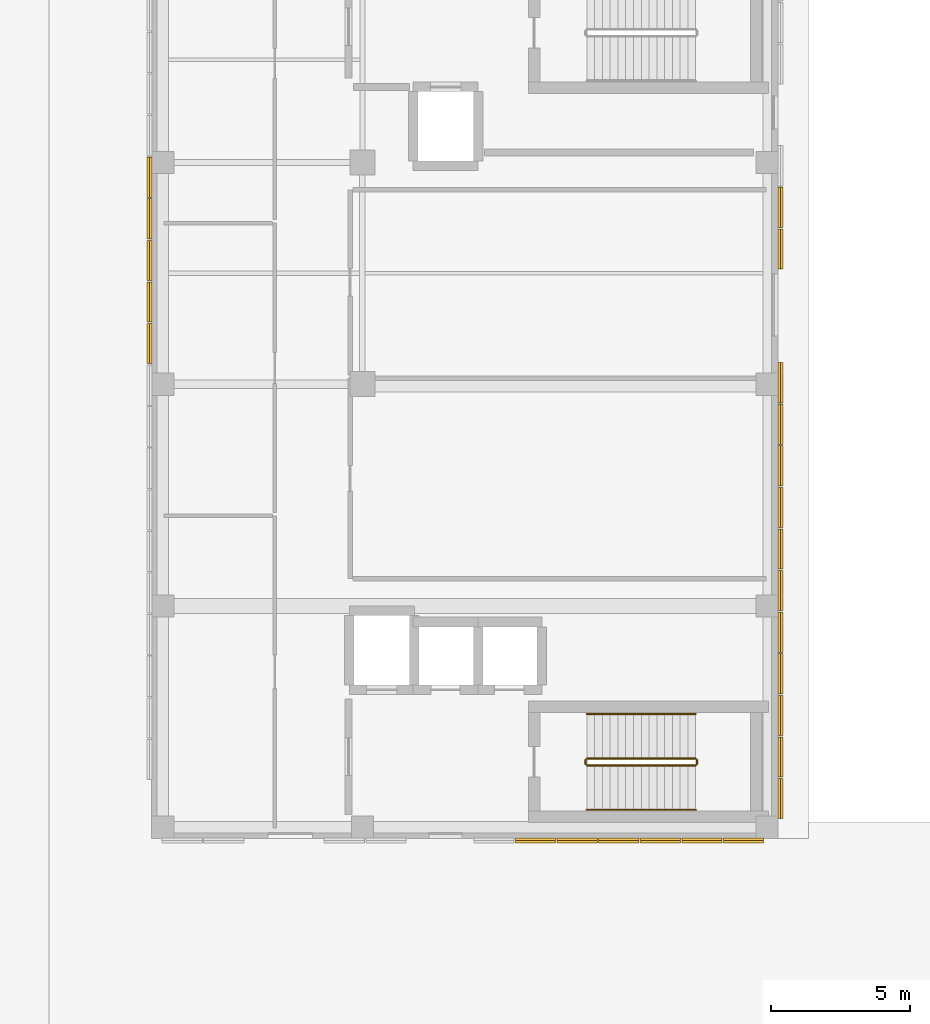
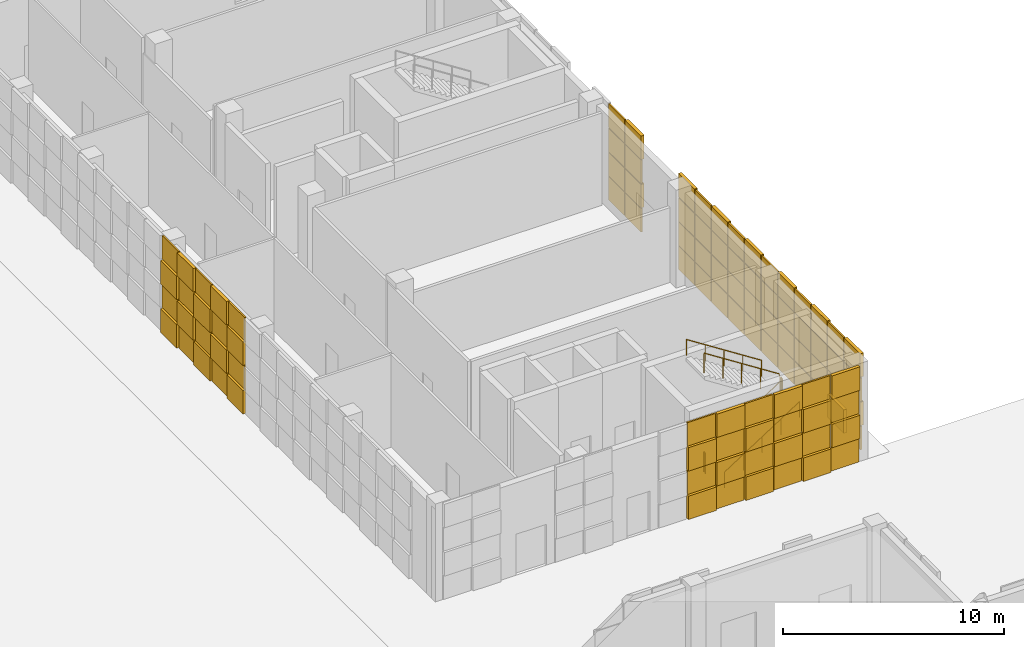
# One storey, part 31 of 40: 96 coverings, 6 railings.
"""IFC4 building model written with IfcOpenShell, lengths in metres."""

import ifcopenshell
import ifcopenshell.guid

model = None  # the IFC model being written
_history = None  # IfcOwnerHistory: only IFC2X3 demands one
_inside = {}  # id of a spatial element -> (the spatial element, [elements in it])
_under = {}  # id of a project, library or spatial element -> (it, [spatial elements below it])
_declared = {}  # id of a project -> (the project, [libraries it declares])
_typed = {}  # id of a type object -> (the type object, [elements of that type])
_made_of = {}  # id of a material, layer set ... -> (it, [elements and type objects made of it])


def new_model(schema):
    """Start an empty IFC model of exactly this schema.

    Asked for "IFC4X3", IfcOpenShell would pick the latest addendum, in which some entities
    have other attributes; the version numbers below select the first issue.
    IFC2X3 requires an IfcOwnerHistory on every rooted entity: one is made here for all.
    """
    global model, _history
    if schema == "IFC4X3":
        model = ifcopenshell.file(schema_version=(4, 3, 0, 0))
    else:
        model = ifcopenshell.file(schema=schema)
    _inside.clear()
    _under.clear()
    _declared.clear()
    _typed.clear()
    _made_of.clear()
    _history = None
    if model.schema == "IFC2X3":
        org = make("IfcOrganization", Name="unknown")
        user = make(
            "IfcPersonAndOrganization",
            ThePerson=make("IfcPerson", FamilyName="unknown"),
            TheOrganization=org,
        )
        app = make(
            "IfcApplication",
            ApplicationDeveloper=org,
            Version="unknown",
            ApplicationFullName="unknown",
            ApplicationIdentifier="unknown",
        )
        _history = make(
            "IfcOwnerHistory",
            OwningUser=user,
            OwningApplication=app,
            ChangeAction="ADDED",
            CreationDate=0,
        )
    return model


def make(cls, **values):
    """One entity of the class cls with the attributes given. An attribute that is None is left unset."""
    return model.create_entity(
        cls, **{name: value for name, value in values.items() if value is not None}
    )


def rooted(cls, **values):
    """An entity with a GlobalId (a new one), such as an element, a storey or a relation."""
    return make(cls, GlobalId=ifcopenshell.guid.new(), OwnerHistory=_history, **values)


def si_unit(unit_type, name, prefix=None):
    """IfcSIUnit, for example si_unit("LENGTHUNIT", "METRE", prefix="MILLI")."""
    return make("IfcSIUnit", UnitType=unit_type, Prefix=prefix, Name=name)


def assignment(units):
    """IfcUnitAssignment: the units of a project."""
    return None if units is None else make("IfcUnitAssignment", Units=units)


def point(xyz):
    """IfcCartesianPoint."""
    return None if xyz is None else make("IfcCartesianPoint", Coordinates=xyz)


def direction(xyz):
    """IfcDirection."""
    return None if xyz is None else make("IfcDirection", DirectionRatios=xyz)


def frame(location, z_axis=None, x_axis=None):
    """IfcAxis2Placement3D, a coordinate frame: its origin and axes. An axis left out is left unset."""
    return make(
        "IfcAxis2Placement3D",
        Location=point(location),
        Axis=direction(z_axis),
        RefDirection=direction(x_axis),
    )


def frame_2d(location, x_axis=None):
    """IfcAxis2Placement2D, a coordinate frame in the plane: its origin and x axis."""
    return make(
        "IfcAxis2Placement2D", Location=point(location), RefDirection=direction(x_axis)
    )


def origin():
    """The frame at (0, 0, 0) with its axes left unset."""
    return frame((0.0, 0.0, 0.0))


def origin_2d():
    """The frame at (0, 0) in the plane with its x axis left unset."""
    return frame_2d((0.0, 0.0))


def place(relative_to, where):
    """IfcLocalPlacement: puts the frame where relative to a parent placement (None: the world)."""
    return make(
        "IfcLocalPlacement", PlacementRelTo=relative_to, RelativePlacement=where
    )


def context(
    kind, dimensions, precision=None, world=None, true_north=None, identifier=None
):
    """IfcGeometricRepresentationContext, for example the 3D "Model" context."""
    return make(
        "IfcGeometricRepresentationContext",
        ContextIdentifier=identifier,
        ContextType=kind,
        CoordinateSpaceDimension=dimensions,
        Precision=precision,
        WorldCoordinateSystem=world,
        TrueNorth=true_north,
    )


def subcontext(parent, identifier, kind, view, scale=None):
    """IfcGeometricRepresentationSubContext, for example "Body" below "Model"."""
    return make(
        "IfcGeometricRepresentationSubContext",
        ContextIdentifier=identifier,
        ContextType=kind,
        ParentContext=parent,
        TargetScale=scale,
        TargetView=view,
    )


def project(units=None, contexts=None):
    """IfcProject with its units and contexts."""
    return rooted(
        "IfcProject",
        Name="project",
        RepresentationContexts=contexts,
        UnitsInContext=assignment(units),
    )


def spatial(cls, under=None, at=None, **own):
    """A site, building, storey or space (cls), placed at a placement, below another one or the project."""
    s = rooted(cls, ObjectPlacement=at, **own)
    if under is not None:
        _under.setdefault(under.id(), (under, []))[1].append(s)
    return s


def profile(cls, at=None, kind="AREA", **sizes):
    """A parametric profile (cls). Its sizes go by their IFC names, for example OverallWidth=200.0."""
    return make(cls, ProfileType=kind, Position=at, **sizes)


def rectangle(**sizes):
    """IfcRectangleProfileDef."""
    return profile("IfcRectangleProfileDef", **sizes)


def circle(**sizes):
    """IfcCircleProfileDef."""
    return profile("IfcCircleProfileDef", **sizes)


def extrude(swept, where, along, depth):
    """IfcExtrudedAreaSolid: the profile swept, set in the frame where, extruded along a direction by depth."""
    return make(
        "IfcExtrudedAreaSolid",
        SweptArea=swept,
        Position=where,
        ExtrudedDirection=direction(along),
        Depth=depth,
    )


def shape(context_of_items, identifier, shape_type, items):
    """IfcShapeRepresentation: the items that make up one representation, for example the "Body"."""
    return make(
        "IfcShapeRepresentation",
        ContextOfItems=context_of_items,
        RepresentationIdentifier=identifier,
        RepresentationType=shape_type,
        Items=items,
    )


def material(Name=None, Category=None):
    """IfcMaterial."""
    return make("IfcMaterial", Name=Name, Category=Category)


def layer(
    of_material, thickness, ventilated=None, Name=None, Category=None, Priority=None
):
    """IfcMaterialLayer: one layer of a wall or slab, of a material (None: an air gap)."""
    return make(
        "IfcMaterialLayer",
        Material=of_material,
        LayerThickness=thickness,
        IsVentilated=ventilated,
        Name=Name,
        Category=Category,
        Priority=Priority,
    )


def layer_set(layers, Name=None):
    """IfcMaterialLayerSet."""
    return make("IfcMaterialLayerSet", MaterialLayers=layers, LayerSetName=Name)


def made_of(thing, what):
    """Note that an element or type object is made of a material, layer set ...; save() writes the relation."""
    if what is not None:
        _made_of.setdefault(what.id(), (what, []))[1].append(thing)
    return thing


def type_object(cls, material=None, **own):
    """A type object (cls), such as IfcWallType, which elements share."""
    return made_of(rooted(cls, **own), material)


def element(
    cls,
    number,
    at=None,
    inside=None,
    cuts=None,
    type_object=None,
    material=None,
    context=None,
    identifier="Body",
    shape_type=None,
    held_by="IfcProductDefinitionShape",
    body=None,
    shapes=None,
    **own,
):
    """One element of the class cls, such as IfcWall. Its Tag is "e" and its number.

    at: its placement. inside: the storey or other place that contains it. cuts: it is an
    opening in that element (IfcRelVoidsElement). A single representation is given by context,
    identifier, shape_type and body (its items); several are given by shapes. held_by: the class
    of the entity that holds the representations. save() writes the other relations.
    """
    e = rooted(cls, Tag="e%d" % number, ObjectPlacement=at, **own)
    if body is not None:
        shapes = [shape(context, identifier, shape_type, body)]
    if shapes is not None:
        e.Representation = make(held_by, Representations=shapes)
    if inside is not None:
        _inside.setdefault(inside.id(), (inside, []))[1].append(e)
    if cuts is not None:
        rooted(
            "IfcRelVoidsElement", RelatingBuildingElement=cuts, RelatedOpeningElement=e
        )
    if type_object is not None:
        _typed.setdefault(type_object.id(), (type_object, []))[1].append(e)
    return made_of(e, material)


def aggregate(whole, parts):
    """IfcRelAggregates: a whole, such as a stair, and the parts it consists of."""
    return rooted("IfcRelAggregates", RelatingObject=whole, RelatedObjects=parts)


def save(model, path):
    """Write the relations noted so far, then the file.

    IfcRelAggregates (storeys below a building ...), IfcRelContainedInSpatialStructure (elements
    in a storey), IfcRelDefinesByType, IfcRelAssociatesMaterial and IfcRelDeclares: one each for
    every whole, place, type object, material and project.
    """
    for whole, parts in _under.values():
        aggregate(whole, parts)
    for where, things in _inside.values():
        rooted(
            "IfcRelContainedInSpatialStructure",
            RelatedElements=things,
            RelatingStructure=where,
        )
    for kind, things in _typed.values():
        rooted("IfcRelDefinesByType", RelatedObjects=things, RelatingType=kind)
    for what, things in _made_of.values():
        rooted("IfcRelAssociatesMaterial", RelatedObjects=things, RelatingMaterial=what)
    for by, libraries in _declared.values():
        rooted("IfcRelDeclares", RelatingContext=by, RelatedDefinitions=libraries)
    model.write(path)


model = new_model("IFC4")

# Units and contexts
model_context = context("Model", 3, precision=1e-05, world=origin(), true_north=direction((0.0, 1.0)))
body_context = subcontext(model_context, "Body", "Model", "MODEL_VIEW")
ifc_project = project(units=[si_unit("LENGTHUNIT", "METRE"), si_unit("AREAUNIT", "SQUARE_METRE"), si_unit("VOLUMEUNIT", "CUBIC_METRE"), si_unit("PLANEANGLEUNIT", "RADIAN"), si_unit("MASSUNIT", "GRAM", prefix="KILO")], contexts=[model_context])

# Site, building, storey
site_placement = place(None, origin())
site = spatial("IfcSite", under=ifc_project, at=site_placement, CompositionType="ELEMENT")
building_placement = place(site_placement, origin())
building = spatial("IfcBuilding", under=site, at=building_placement, Name="Qalavern Law Courts", CompositionType="ELEMENT")
storey_placement = place(building_placement, origin())
storey = spatial("IfcBuildingStorey", under=building, at=storey_placement, Name="L00", CompositionType="ELEMENT", Elevation=0.0)

# Coverings
ifc_material_1 = material(Name="Precast concrete C40/50", Category="concrete")
ifc_layer_1 = layer(ifc_material_1, 0.06005859375)
ifc_layer_set_1 = layer_set([ifc_layer_1], Name="Precast concrete C40/50")
covering_type_1 = type_object("IfcCoveringType", Name="ENV-CLD-1", PredefinedType="CLADDING", material=ifc_layer_set_1)
covering_1_placement = place(storey_placement, frame((98.050048828125, 40.93994140625, 0.050048828125), z_axis=(0.0, 0.0, 1.0), x_axis=(1.0, 0.0, 0.0)))
element("IfcCovering", 1, at=covering_1_placement, inside=storey, type_object=covering_type_1, Name="Cast drop-relief street-base tile 0793", PredefinedType="CLADDING", context=body_context, shape_type="SweptSolid", body=[
    extrude(rectangle(XDim=1.449951171875, YDim=0.16796875, at=origin_2d()), origin(), (0.0, 0.0, 1.0), 1.294921875),
])
for number, where, z_axis, x_axis, name in (
    (2, (98.050048828125, 40.98193359375, 4.054931640625), (0.0, 0.0, 1.0), (1.0, 0.0, 0.0), "Cast drop-relief street-base tile 0796"),
    (3, (99.550048828125, 40.98193359375, 2.719970703125), (0.0, 0.0, 1.0), (1.0, 0.0, 0.0), "Cast drop-relief street-base tile 0799"),
    (4, (101.050048828125, 40.98193359375, 1.385009765625), (0.0, 0.0, 1.0), (1.0, 0.0, 0.0), "Cast drop-relief street-base tile 0802"),
    (5, (102.550048828125, 40.98193359375, 0.050048828125), (0.0, 0.0, 1.0), (1.0, 0.0, 0.0), "Cast drop-relief street-base tile 0805"),
):
    element("IfcCovering", number, at=place(storey_placement, frame(where, z_axis=z_axis, x_axis=x_axis)), inside=storey, type_object=covering_type_1, Name=name, PredefinedType="CLADDING", context=body_context, shape_type="SweptSolid", body=[
        extrude(rectangle(XDim=1.449951171875, YDim=0.083984375, at=origin_2d()), origin(), (0.0, 0.0, 1.0), 1.294921875),
    ])
for number, where, z_axis, x_axis, name in (
    (6, (102.550048828125, 40.93994140625, 4.054931640625), (0.0, 0.0, 1.0), (1.0, 0.0, 0.0), "Cast drop-relief street-base tile 0808"),
    (7, (104.050048828125, 40.93994140625, 2.719970703125), (0.0, 0.0, 1.0), (1.0, 0.0, 0.0), "Cast drop-relief street-base tile 0811"),
    (8, (105.550048828125, 40.93994140625, 1.385009765625), (0.0, 0.0, 1.0), (1.0, 0.0, 0.0), "Cast drop-relief street-base tile 0814"),
    (9, (106.8798828125, 42.455078125, 1.385009765625), (0.0, 0.0, 1.0), (0.0, 1.0, 0.0), "Cast drop-relief street-base tile 0818"),
    (10, (106.8798828125, 43.955078125, 0.050048828125), (0.0, 0.0, 1.0), (0.0, 1.0, 0.0), "Cast drop-relief street-base tile 0821"),
):
    element("IfcCovering", number, at=place(storey_placement, frame(where, z_axis=z_axis, x_axis=x_axis)), inside=storey, type_object=covering_type_1, Name=name, PredefinedType="CLADDING", context=body_context, shape_type="SweptSolid", body=[
        extrude(rectangle(XDim=1.449951171875, YDim=0.16796875, at=origin_2d()), origin(), (0.0, 0.0, 1.0), 1.294921875),
    ])
for number, where, z_axis, x_axis, name in (
    (11, (106.837890625, 43.955078125, 4.054931640625), (0.0, 0.0, 1.0), (0.0, 1.0, 0.0), "Cast drop-relief street-base tile 0824"),
    (12, (106.837890625, 45.455078125, 2.719970703125), (0.0, 0.0, 1.0), (0.0, 1.0, 0.0), "Cast drop-relief street-base tile 0827"),
    (13, (106.837890625, 46.955078125, 1.385009765625), (0.0, 0.0, 1.0), (0.0, 1.0, 0.0), "Cast drop-relief street-base tile 0830"),
    (14, (106.837890625, 48.455078125, 0.050048828125), (0.0, 0.0, 1.0), (0.0, 1.0, 0.0), "Cast drop-relief street-base tile 0833"),
):
    element("IfcCovering", number, at=place(storey_placement, frame(where, z_axis=z_axis, x_axis=x_axis)), inside=storey, type_object=covering_type_1, Name=name, PredefinedType="CLADDING", context=body_context, shape_type="SweptSolid", body=[
        extrude(rectangle(XDim=1.449951171875, YDim=0.083984375, at=origin_2d()), origin(), (0.0, 0.0, 1.0), 1.294921875),
    ])
for number, where, z_axis, x_axis, name in (
    (15, (106.8798828125, 48.455078125, 4.054931640625), (0.0, 0.0, 1.0), (0.0, 1.0, 0.0), "Cast drop-relief street-base tile 0836"),
    (16, (106.8798828125, 49.955078125, 2.719970703125), (0.0, 0.0, 1.0), (0.0, 1.0, 0.0), "Cast drop-relief street-base tile 0839"),
    (17, (106.8798828125, 51.455078125, 1.385009765625), (0.0, 0.0, 1.0), (0.0, 1.0, 0.0), "Cast drop-relief street-base tile 0842"),
    (18, (106.8798828125, 52.955078125, 0.050048828125), (0.0, 0.0, 1.0), (0.0, 1.0, 0.0), "Cast drop-relief street-base tile 0845"),
):
    element("IfcCovering", number, at=place(storey_placement, frame(where, z_axis=z_axis, x_axis=x_axis)), inside=storey, type_object=covering_type_1, Name=name, PredefinedType="CLADDING", context=body_context, shape_type="SweptSolid", body=[
        extrude(rectangle(XDim=1.449951171875, YDim=0.16796875, at=origin_2d()), origin(), (0.0, 0.0, 1.0), 1.294921875),
    ])
for number, where, z_axis, x_axis, name in (
    (19, (106.837890625, 52.955078125, 4.054931640625), (0.0, 0.0, 1.0), (0.0, 1.0, 0.0), "Cast drop-relief street-base tile 0848"),
    (20, (106.837890625, 54.455078125, 2.719970703125), (0.0, 0.0, 1.0), (0.0, 1.0, 0.0), "Cast drop-relief street-base tile 0851"),
    (21, (106.837890625, 55.955078125, 1.385009765625), (0.0, 0.0, 1.0), (0.0, 1.0, 0.0), "Cast drop-relief street-base tile 0854"),
    (22, (106.837890625, 57.455078125, 0.050048828125), (0.0, 0.0, 1.0), (0.0, 1.0, 0.0), "Cast drop-relief street-base tile 0857"),
):
    element("IfcCovering", number, at=place(storey_placement, frame(where, z_axis=z_axis, x_axis=x_axis)), inside=storey, type_object=covering_type_1, Name=name, PredefinedType="CLADDING", context=body_context, shape_type="SweptSolid", body=[
        extrude(rectangle(XDim=1.449951171875, YDim=0.083984375, at=origin_2d()), origin(), (0.0, 0.0, 1.0), 1.294921875),
    ])
for number, where, z_axis, x_axis, name in (
    (23, (106.8798828125, 57.455078125, 4.054931640625), (0.0, 0.0, 1.0), (0.0, 1.0, 0.0), "Cast drop-relief street-base tile 0860"),
    (24, (106.8798828125, 62.280029296875, 1.385009765625), (0.0, 0.0, 1.0), (0.0, 1.0, 0.0), "Cast drop-relief street-base tile 0862"),
    (25, (106.8798828125, 63.780029296875, 0.050048828125), (0.0, 0.0, 1.0), (0.0, 1.0, 0.0), "Cast drop-relief street-base tile 0865"),
):
    element("IfcCovering", number, at=place(storey_placement, frame(where, z_axis=z_axis, x_axis=x_axis)), inside=storey, type_object=covering_type_1, Name=name, PredefinedType="CLADDING", context=body_context, shape_type="SweptSolid", body=[
        extrude(rectangle(XDim=1.449951171875, YDim=0.16796875, at=origin_2d()), origin(), (0.0, 0.0, 1.0), 1.294921875),
    ])
covering_2_placement = place(storey_placement, frame((106.837890625, 63.780029296875, 4.054931640625), z_axis=(0.0, 0.0, 1.0), x_axis=(0.0, 1.0, 0.0)))
element("IfcCovering", 26, at=covering_2_placement, inside=storey, type_object=covering_type_1, Name="Cast drop-relief street-base tile 0868", PredefinedType="CLADDING", context=body_context, shape_type="SweptSolid", body=[
    extrude(rectangle(XDim=1.449951171875, YDim=0.083984375, at=origin_2d()), origin(), (0.0, 0.0, 1.0), 1.294921875),
])
for number, where, z_axis, x_axis, name in (
    (27, (84.1201171875, 64.864990234375, 2.719970703125), (0.0, 0.0, 1.0), (0.0, -1.0, 0.0), "Cast drop-relief street-base tile 1003"),
    (28, (84.1201171875, 63.364990234375, 1.385009765625), (0.0, 0.0, 1.0), (0.0, -1.0, 0.0), "Cast drop-relief street-base tile 1006"),
    (29, (84.1201171875, 61.864990234375, 0.050048828125), (0.0, 0.0, 1.0), (0.0, -1.0, 0.0), "Cast drop-relief street-base tile 1009"),
):
    element("IfcCovering", number, at=place(storey_placement, frame(where, z_axis=z_axis, x_axis=x_axis)), inside=storey, type_object=covering_type_1, Name=name, PredefinedType="CLADDING", context=body_context, shape_type="SweptSolid", body=[
        extrude(rectangle(XDim=1.449951171875, YDim=0.16796875, at=origin_2d()), origin(), (0.0, 0.0, 1.0), 1.294921875),
    ])
for number, where, z_axis, x_axis, name in (
    (30, (84.162109375, 61.864990234375, 4.054931640625), (0.0, 0.0, 1.0), (0.0, -1.0, 0.0), "Cast drop-relief street-base tile 1012"),
    (31, (84.162109375, 60.364990234375, 2.719970703125), (0.0, 0.0, 1.0), (0.0, -1.0, 0.0), "Cast drop-relief street-base tile 1015"),
    (32, (84.162109375, 58.864990234375, 1.385009765625), (0.0, 0.0, 1.0), (0.0, -1.0, 0.0), "Cast drop-relief street-base tile 1018"),
):
    element("IfcCovering", number, at=place(storey_placement, frame(where, z_axis=z_axis, x_axis=x_axis)), inside=storey, type_object=covering_type_1, Name=name, PredefinedType="CLADDING", context=body_context, shape_type="SweptSolid", body=[
        extrude(rectangle(XDim=1.449951171875, YDim=0.083984375, at=origin_2d()), origin(), (0.0, 0.0, 1.0), 1.294921875),
    ])
ifc_layer_2 = layer(ifc_material_1, 0.072021484375)
ifc_layer_set_2 = layer_set([ifc_layer_2], Name="Precast concrete C40/50")
covering_type_2 = type_object("IfcCoveringType", Name="ENV-CLD-2", PredefinedType="CLADDING", material=ifc_layer_set_2)
for number, where, z_axis, x_axis, name in (
    (33, (98.050048828125, 40.98193359375, 1.385009765625), (0.0, 0.0, 1.0), (1.0, 0.0, 0.0), "Cast drop-relief street-base tile 0794"),
    (34, (99.550048828125, 40.98193359375, 0.050048828125), (0.0, 0.0, 1.0), (1.0, 0.0, 0.0), "Cast drop-relief street-base tile 0797"),
):
    element("IfcCovering", number, at=place(storey_placement, frame(where, z_axis=z_axis, x_axis=x_axis)), inside=storey, type_object=covering_type_2, Name=name, PredefinedType="CLADDING", context=body_context, shape_type="SweptSolid", body=[
        extrude(rectangle(XDim=1.449951171875, YDim=0.083984375, at=origin_2d()), origin(), (0.0, 0.0, 1.0), 1.294921875),
    ])
for number, where, z_axis, x_axis, name in (
    (35, (99.550048828125, 40.93994140625, 4.054931640625), (0.0, 0.0, 1.0), (1.0, 0.0, 0.0), "Cast drop-relief street-base tile 0800"),
    (36, (101.050048828125, 40.93994140625, 2.719970703125), (0.0, 0.0, 1.0), (1.0, 0.0, 0.0), "Cast drop-relief street-base tile 0803"),
    (37, (102.550048828125, 40.93994140625, 1.385009765625), (0.0, 0.0, 1.0), (1.0, 0.0, 0.0), "Cast drop-relief street-base tile 0806"),
    (38, (104.050048828125, 40.93994140625, 0.050048828125), (0.0, 0.0, 1.0), (1.0, 0.0, 0.0), "Cast drop-relief street-base tile 0809"),
):
    element("IfcCovering", number, at=place(storey_placement, frame(where, z_axis=z_axis, x_axis=x_axis)), inside=storey, type_object=covering_type_2, Name=name, PredefinedType="CLADDING", context=body_context, shape_type="SweptSolid", body=[
        extrude(rectangle(XDim=1.449951171875, YDim=0.16796875, at=origin_2d()), origin(), (0.0, 0.0, 1.0), 1.294921875),
    ])
for number, where, z_axis, x_axis, name in (
    (39, (104.050048828125, 40.98193359375, 4.054931640625), (0.0, 0.0, 1.0), (1.0, 0.0, 0.0), "Cast drop-relief street-base tile 0812"),
    (40, (105.550048828125, 40.98193359375, 2.719970703125), (0.0, 0.0, 1.0), (1.0, 0.0, 0.0), "Cast drop-relief street-base tile 0815"),
    (41, (106.837890625, 42.455078125, 2.719970703125), (0.0, 0.0, 1.0), (0.0, 1.0, 0.0), "Cast drop-relief street-base tile 0819"),
    (42, (106.837890625, 43.955078125, 1.385009765625), (0.0, 0.0, 1.0), (0.0, 1.0, 0.0), "Cast drop-relief street-base tile 0822"),
    (43, (106.837890625, 45.455078125, 0.050048828125), (0.0, 0.0, 1.0), (0.0, 1.0, 0.0), "Cast drop-relief street-base tile 0825"),
):
    element("IfcCovering", number, at=place(storey_placement, frame(where, z_axis=z_axis, x_axis=x_axis)), inside=storey, type_object=covering_type_2, Name=name, PredefinedType="CLADDING", context=body_context, shape_type="SweptSolid", body=[
        extrude(rectangle(XDim=1.449951171875, YDim=0.083984375, at=origin_2d()), origin(), (0.0, 0.0, 1.0), 1.294921875),
    ])
for number, where, z_axis, x_axis, name in (
    (44, (106.8798828125, 45.455078125, 4.054931640625), (0.0, 0.0, 1.0), (0.0, 1.0, 0.0), "Cast drop-relief street-base tile 0828"),
    (45, (106.8798828125, 46.955078125, 2.719970703125), (0.0, 0.0, 1.0), (0.0, 1.0, 0.0), "Cast drop-relief street-base tile 0831"),
    (46, (106.8798828125, 48.455078125, 1.385009765625), (0.0, 0.0, 1.0), (0.0, 1.0, 0.0), "Cast drop-relief street-base tile 0834"),
    (47, (106.8798828125, 49.955078125, 0.050048828125), (0.0, 0.0, 1.0), (0.0, 1.0, 0.0), "Cast drop-relief street-base tile 0837"),
):
    element("IfcCovering", number, at=place(storey_placement, frame(where, z_axis=z_axis, x_axis=x_axis)), inside=storey, type_object=covering_type_2, Name=name, PredefinedType="CLADDING", context=body_context, shape_type="SweptSolid", body=[
        extrude(rectangle(XDim=1.449951171875, YDim=0.16796875, at=origin_2d()), origin(), (0.0, 0.0, 1.0), 1.294921875),
    ])
for number, where, z_axis, x_axis, name in (
    (48, (106.837890625, 49.955078125, 4.054931640625), (0.0, 0.0, 1.0), (0.0, 1.0, 0.0), "Cast drop-relief street-base tile 0840"),
    (49, (106.837890625, 51.455078125, 2.719970703125), (0.0, 0.0, 1.0), (0.0, 1.0, 0.0), "Cast drop-relief street-base tile 0843"),
    (50, (106.837890625, 52.955078125, 1.385009765625), (0.0, 0.0, 1.0), (0.0, 1.0, 0.0), "Cast drop-relief street-base tile 0846"),
    (51, (106.837890625, 54.455078125, 0.050048828125), (0.0, 0.0, 1.0), (0.0, 1.0, 0.0), "Cast drop-relief street-base tile 0849"),
):
    element("IfcCovering", number, at=place(storey_placement, frame(where, z_axis=z_axis, x_axis=x_axis)), inside=storey, type_object=covering_type_2, Name=name, PredefinedType="CLADDING", context=body_context, shape_type="SweptSolid", body=[
        extrude(rectangle(XDim=1.449951171875, YDim=0.083984375, at=origin_2d()), origin(), (0.0, 0.0, 1.0), 1.294921875),
    ])
for number, where, z_axis, x_axis, name in (
    (52, (106.8798828125, 54.455078125, 4.054931640625), (0.0, 0.0, 1.0), (0.0, 1.0, 0.0), "Cast drop-relief street-base tile 0852"),
    (53, (106.8798828125, 55.955078125, 2.719970703125), (0.0, 0.0, 1.0), (0.0, 1.0, 0.0), "Cast drop-relief street-base tile 0855"),
    (54, (106.8798828125, 57.455078125, 1.385009765625), (0.0, 0.0, 1.0), (0.0, 1.0, 0.0), "Cast drop-relief street-base tile 0858"),
):
    element("IfcCovering", number, at=place(storey_placement, frame(where, z_axis=z_axis, x_axis=x_axis)), inside=storey, type_object=covering_type_2, Name=name, PredefinedType="CLADDING", context=body_context, shape_type="SweptSolid", body=[
        extrude(rectangle(XDim=1.449951171875, YDim=0.16796875, at=origin_2d()), origin(), (0.0, 0.0, 1.0), 1.294921875),
    ])
for number, where, z_axis, x_axis, name in (
    (55, (106.837890625, 62.280029296875, 2.719970703125), (0.0, 0.0, 1.0), (0.0, 1.0, 0.0), "Cast drop-relief street-base tile 0863"),
    (56, (106.837890625, 63.780029296875, 1.385009765625), (0.0, 0.0, 1.0), (0.0, 1.0, 0.0), "Cast drop-relief street-base tile 0866"),
):
    element("IfcCovering", number, at=place(storey_placement, frame(where, z_axis=z_axis, x_axis=x_axis)), inside=storey, type_object=covering_type_2, Name=name, PredefinedType="CLADDING", context=body_context, shape_type="SweptSolid", body=[
        extrude(rectangle(XDim=1.449951171875, YDim=0.083984375, at=origin_2d()), origin(), (0.0, 0.0, 1.0), 1.294921875),
    ])
covering_3_placement = place(storey_placement, frame((84.1201171875, 64.864990234375, 0.050048828125), z_axis=(0.0, 0.0, 1.0), x_axis=(0.0, -1.0, 0.0)))
element("IfcCovering", 57, at=covering_3_placement, inside=storey, type_object=covering_type_2, Name="Cast drop-relief street-base tile 1001", PredefinedType="CLADDING", context=body_context, shape_type="SweptSolid", body=[
    extrude(rectangle(XDim=1.449951171875, YDim=0.16796875, at=origin_2d()), origin(), (0.0, 0.0, 1.0), 1.294921875),
])
for number, where, z_axis, x_axis, name in (
    (58, (84.162109375, 64.864990234375, 4.054931640625), (0.0, 0.0, 1.0), (0.0, -1.0, 0.0), "Cast drop-relief street-base tile 1004"),
    (59, (84.162109375, 63.364990234375, 2.719970703125), (0.0, 0.0, 1.0), (0.0, -1.0, 0.0), "Cast drop-relief street-base tile 1007"),
    (60, (84.162109375, 61.864990234375, 1.385009765625), (0.0, 0.0, 1.0), (0.0, -1.0, 0.0), "Cast drop-relief street-base tile 1010"),
    (61, (84.162109375, 60.364990234375, 0.050048828125), (0.0, 0.0, 1.0), (0.0, -1.0, 0.0), "Cast drop-relief street-base tile 1013"),
):
    element("IfcCovering", number, at=place(storey_placement, frame(where, z_axis=z_axis, x_axis=x_axis)), inside=storey, type_object=covering_type_2, Name=name, PredefinedType="CLADDING", context=body_context, shape_type="SweptSolid", body=[
        extrude(rectangle(XDim=1.449951171875, YDim=0.083984375, at=origin_2d()), origin(), (0.0, 0.0, 1.0), 1.294921875),
    ])
for number, where, z_axis, x_axis, name in (
    (62, (84.1201171875, 60.364990234375, 4.054931640625), (0.0, 0.0, 1.0), (0.0, -1.0, 0.0), "Cast drop-relief street-base tile 1016"),
    (63, (84.1201171875, 58.864990234375, 2.719970703125), (0.0, 0.0, 1.0), (0.0, -1.0, 0.0), "Cast drop-relief street-base tile 1019"),
):
    element("IfcCovering", number, at=place(storey_placement, frame(where, z_axis=z_axis, x_axis=x_axis)), inside=storey, type_object=covering_type_2, Name=name, PredefinedType="CLADDING", context=body_context, shape_type="SweptSolid", body=[
        extrude(rectangle(XDim=1.449951171875, YDim=0.16796875, at=origin_2d()), origin(), (0.0, 0.0, 1.0), 1.294921875),
    ])
ifc_layer_3 = layer(ifc_material_1, 0.083984375)
ifc_layer_set_3 = layer_set([ifc_layer_3], Name="Precast concrete C40/50")
covering_type_3 = type_object("IfcCoveringType", Name="ENV-CLD-3", PredefinedType="CLADDING", material=ifc_layer_set_3)
for number, where, z_axis, x_axis, name in (
    (64, (98.050048828125, 40.93994140625, 2.719970703125), (0.0, 0.0, 1.0), (1.0, 0.0, 0.0), "Cast drop-relief street-base tile 0795"),
    (65, (99.550048828125, 40.93994140625, 1.385009765625), (0.0, 0.0, 1.0), (1.0, 0.0, 0.0), "Cast drop-relief street-base tile 0798"),
    (66, (101.050048828125, 40.93994140625, 0.050048828125), (0.0, 0.0, 1.0), (1.0, 0.0, 0.0), "Cast drop-relief street-base tile 0801"),
):
    element("IfcCovering", number, at=place(storey_placement, frame(where, z_axis=z_axis, x_axis=x_axis)), inside=storey, type_object=covering_type_3, Name=name, PredefinedType="CLADDING", context=body_context, shape_type="SweptSolid", body=[
        extrude(rectangle(XDim=1.449951171875, YDim=0.16796875, at=origin_2d()), origin(), (0.0, 0.0, 1.0), 1.294921875),
    ])
for number, where, z_axis, x_axis, name in (
    (67, (101.050048828125, 40.98193359375, 4.054931640625), (0.0, 0.0, 1.0), (1.0, 0.0, 0.0), "Cast drop-relief street-base tile 0804"),
    (68, (102.550048828125, 40.98193359375, 2.719970703125), (0.0, 0.0, 1.0), (1.0, 0.0, 0.0), "Cast drop-relief street-base tile 0807"),
    (69, (104.050048828125, 40.98193359375, 1.385009765625), (0.0, 0.0, 1.0), (1.0, 0.0, 0.0), "Cast drop-relief street-base tile 0810"),
    (70, (105.550048828125, 40.98193359375, 0.050048828125), (0.0, 0.0, 1.0), (1.0, 0.0, 0.0), "Cast drop-relief street-base tile 0813"),
):
    element("IfcCovering", number, at=place(storey_placement, frame(where, z_axis=z_axis, x_axis=x_axis)), inside=storey, type_object=covering_type_3, Name=name, PredefinedType="CLADDING", context=body_context, shape_type="SweptSolid", body=[
        extrude(rectangle(XDim=1.449951171875, YDim=0.083984375, at=origin_2d()), origin(), (0.0, 0.0, 1.0), 1.294921875),
    ])
covering_4_placement = place(storey_placement, frame((105.550048828125, 40.93994140625, 4.054931640625), z_axis=(0.0, 0.0, 1.0), x_axis=(1.0, 0.0, 0.0)))
element("IfcCovering", 71, at=covering_4_placement, inside=storey, type_object=covering_type_3, Name="Cast drop-relief street-base tile 0816", PredefinedType="CLADDING", context=body_context, shape_type="SweptSolid", body=[
    extrude(rectangle(XDim=1.449951171875, YDim=0.16796875, at=origin_2d()), origin(), (0.0, 0.0, 1.0), 1.294921875),
])
covering_5_placement = place(storey_placement, frame((106.837890625, 42.455078125, 0.050048828125), z_axis=(0.0, 0.0, 1.0), x_axis=(0.0, 1.0, 0.0)))
element("IfcCovering", 72, at=covering_5_placement, inside=storey, type_object=covering_type_3, Name="Cast drop-relief street-base tile 0817", PredefinedType="CLADDING", context=body_context, shape_type="SweptSolid", body=[
    extrude(rectangle(XDim=1.449951171875, YDim=0.083984375, at=origin_2d()), origin(), (0.0, 0.0, 1.0), 1.294921875),
])
for number, where, z_axis, x_axis, name in (
    (73, (106.8798828125, 42.455078125, 4.054931640625), (0.0, 0.0, 1.0), (0.0, 1.0, 0.0), "Cast drop-relief street-base tile 0820"),
    (74, (106.8798828125, 43.955078125, 2.719970703125), (0.0, 0.0, 1.0), (0.0, 1.0, 0.0), "Cast drop-relief street-base tile 0823"),
    (75, (106.8798828125, 45.455078125, 1.385009765625), (0.0, 0.0, 1.0), (0.0, 1.0, 0.0), "Cast drop-relief street-base tile 0826"),
    (76, (106.8798828125, 46.955078125, 0.050048828125), (0.0, 0.0, 1.0), (0.0, 1.0, 0.0), "Cast drop-relief street-base tile 0829"),
):
    element("IfcCovering", number, at=place(storey_placement, frame(where, z_axis=z_axis, x_axis=x_axis)), inside=storey, type_object=covering_type_3, Name=name, PredefinedType="CLADDING", context=body_context, shape_type="SweptSolid", body=[
        extrude(rectangle(XDim=1.449951171875, YDim=0.16796875, at=origin_2d()), origin(), (0.0, 0.0, 1.0), 1.294921875),
    ])
for number, where, z_axis, x_axis, name in (
    (77, (106.837890625, 46.955078125, 4.054931640625), (0.0, 0.0, 1.0), (0.0, 1.0, 0.0), "Cast drop-relief street-base tile 0832"),
    (78, (106.837890625, 48.455078125, 2.719970703125), (0.0, 0.0, 1.0), (0.0, 1.0, 0.0), "Cast drop-relief street-base tile 0835"),
    (79, (106.837890625, 49.955078125, 1.385009765625), (0.0, 0.0, 1.0), (0.0, 1.0, 0.0), "Cast drop-relief street-base tile 0838"),
    (80, (106.837890625, 51.455078125, 0.050048828125), (0.0, 0.0, 1.0), (0.0, 1.0, 0.0), "Cast drop-relief street-base tile 0841"),
):
    element("IfcCovering", number, at=place(storey_placement, frame(where, z_axis=z_axis, x_axis=x_axis)), inside=storey, type_object=covering_type_3, Name=name, PredefinedType="CLADDING", context=body_context, shape_type="SweptSolid", body=[
        extrude(rectangle(XDim=1.449951171875, YDim=0.083984375, at=origin_2d()), origin(), (0.0, 0.0, 1.0), 1.294921875),
    ])
for number, where, z_axis, x_axis, name in (
    (81, (106.8798828125, 51.455078125, 4.054931640625), (0.0, 0.0, 1.0), (0.0, 1.0, 0.0), "Cast drop-relief street-base tile 0844"),
    (82, (106.8798828125, 52.955078125, 2.719970703125), (0.0, 0.0, 1.0), (0.0, 1.0, 0.0), "Cast drop-relief street-base tile 0847"),
    (83, (106.8798828125, 54.455078125, 1.385009765625), (0.0, 0.0, 1.0), (0.0, 1.0, 0.0), "Cast drop-relief street-base tile 0850"),
    (84, (106.8798828125, 55.955078125, 0.050048828125), (0.0, 0.0, 1.0), (0.0, 1.0, 0.0), "Cast drop-relief street-base tile 0853"),
):
    element("IfcCovering", number, at=place(storey_placement, frame(where, z_axis=z_axis, x_axis=x_axis)), inside=storey, type_object=covering_type_3, Name=name, PredefinedType="CLADDING", context=body_context, shape_type="SweptSolid", body=[
        extrude(rectangle(XDim=1.449951171875, YDim=0.16796875, at=origin_2d()), origin(), (0.0, 0.0, 1.0), 1.294921875),
    ])
for number, where, z_axis, x_axis, name in (
    (85, (106.837890625, 55.955078125, 4.054931640625), (0.0, 0.0, 1.0), (0.0, 1.0, 0.0), "Cast drop-relief street-base tile 0856"),
    (86, (106.837890625, 57.455078125, 2.719970703125), (0.0, 0.0, 1.0), (0.0, 1.0, 0.0), "Cast drop-relief street-base tile 0859"),
    (87, (106.837890625, 62.280029296875, 0.050048828125), (0.0, 0.0, 1.0), (0.0, 1.0, 0.0), "Cast drop-relief street-base tile 0861"),
):
    element("IfcCovering", number, at=place(storey_placement, frame(where, z_axis=z_axis, x_axis=x_axis)), inside=storey, type_object=covering_type_3, Name=name, PredefinedType="CLADDING", context=body_context, shape_type="SweptSolid", body=[
        extrude(rectangle(XDim=1.449951171875, YDim=0.083984375, at=origin_2d()), origin(), (0.0, 0.0, 1.0), 1.294921875),
    ])
for number, where, z_axis, x_axis, name in (
    (88, (106.8798828125, 62.280029296875, 4.054931640625), (0.0, 0.0, 1.0), (0.0, 1.0, 0.0), "Cast drop-relief street-base tile 0864"),
    (89, (106.8798828125, 63.780029296875, 2.719970703125), (0.0, 0.0, 1.0), (0.0, 1.0, 0.0), "Cast drop-relief street-base tile 0867"),
):
    element("IfcCovering", number, at=place(storey_placement, frame(where, z_axis=z_axis, x_axis=x_axis)), inside=storey, type_object=covering_type_3, Name=name, PredefinedType="CLADDING", context=body_context, shape_type="SweptSolid", body=[
        extrude(rectangle(XDim=1.449951171875, YDim=0.16796875, at=origin_2d()), origin(), (0.0, 0.0, 1.0), 1.294921875),
    ])
for number, where, z_axis, x_axis, name in (
    (90, (84.162109375, 64.864990234375, 1.385009765625), (0.0, 0.0, 1.0), (0.0, -1.0, 0.0), "Cast drop-relief street-base tile 1002"),
    (91, (84.162109375, 63.364990234375, 0.050048828125), (0.0, 0.0, 1.0), (0.0, -1.0, 0.0), "Cast drop-relief street-base tile 1005"),
):
    element("IfcCovering", number, at=place(storey_placement, frame(where, z_axis=z_axis, x_axis=x_axis)), inside=storey, type_object=covering_type_3, Name=name, PredefinedType="CLADDING", context=body_context, shape_type="SweptSolid", body=[
        extrude(rectangle(XDim=1.449951171875, YDim=0.083984375, at=origin_2d()), origin(), (0.0, 0.0, 1.0), 1.294921875),
    ])
for number, where, z_axis, x_axis, name in (
    (92, (84.1201171875, 63.364990234375, 4.054931640625), (0.0, 0.0, 1.0), (0.0, -1.0, 0.0), "Cast drop-relief street-base tile 1008"),
    (93, (84.1201171875, 61.864990234375, 2.719970703125), (0.0, 0.0, 1.0), (0.0, -1.0, 0.0), "Cast drop-relief street-base tile 1011"),
    (94, (84.1201171875, 60.364990234375, 1.385009765625), (0.0, 0.0, 1.0), (0.0, -1.0, 0.0), "Cast drop-relief street-base tile 1014"),
    (95, (84.1201171875, 58.864990234375, 0.050048828125), (0.0, 0.0, 1.0), (0.0, -1.0, 0.0), "Cast drop-relief street-base tile 1017"),
):
    element("IfcCovering", number, at=place(storey_placement, frame(where, z_axis=z_axis, x_axis=x_axis)), inside=storey, type_object=covering_type_3, Name=name, PredefinedType="CLADDING", context=body_context, shape_type="SweptSolid", body=[
        extrude(rectangle(XDim=1.449951171875, YDim=0.16796875, at=origin_2d()), origin(), (0.0, 0.0, 1.0), 1.294921875),
    ])
covering_6_placement = place(storey_placement, frame((84.162109375, 58.864990234375, 4.054931640625), z_axis=(0.0, 0.0, 1.0), x_axis=(0.0, -1.0, 0.0)))
element("IfcCovering", 96, at=covering_6_placement, inside=storey, type_object=covering_type_3, Name="Cast drop-relief street-base tile 1020", PredefinedType="CLADDING", context=body_context, shape_type="SweptSolid", body=[
    extrude(rectangle(XDim=1.449951171875, YDim=0.083984375, at=origin_2d()), origin(), (0.0, 0.0, 1.0), 1.294921875),
])

# Railings
ifc_material_2 = material(Name="Steel S355", Category="steel")
railing_type_1 = type_object("IfcRailingType", Name="INT-GUARD-1120", PredefinedType="BALUSTRADE", material=ifc_material_2)
railing_1_placement = place(storey_placement, frame((99.89990234375, 43.64990234375, 0.179931640625)))
element("IfcRailing", 97, at=railing_1_placement, inside=storey, type_object=railing_type_1, Name="L00 ST-K1A stair guard 1", PredefinedType="BALUSTRADE", context=body_context, shape_type="SweptSolid", body=[
    extrude(circle(Radius=0.02392578125, at=origin_2d()), frame((0.0, 0.0, 1.09619140625), z_axis=(0.841186985886, 0.0, 0.540744352514), x_axis=(0.0, 1.0, 0.0)), (0.0, 0.0, 1.0), 4.660400390625),
    extrude(circle(Radius=0.02099609375, at=origin_2d()), origin(), (0.0, 0.0, 1.0), 1.072021484375),
    extrude(circle(Radius=0.02099609375, at=origin_2d()), frame((0.97998046875, 0.0, 0.6298828125)), (0.0, 0.0, 1.0), 1.072021484375),
    extrude(circle(Radius=0.02099609375, at=origin_2d()), frame((1.9599609375, 0.0, 1.260009765625)), (0.0, 0.0, 1.0), 1.072021484375),
    extrude(circle(Radius=0.02099609375, at=origin_2d()), frame((2.940185546875, 0.0, 1.89013671875)), (0.0, 0.0, 1.0), 1.072021484375),
    extrude(circle(Radius=0.02099609375, at=origin_2d()), frame((3.920166015625, 0.0, 2.52001953125)), (0.0, 0.0, 1.0), 1.072021484375),
])
railing_2_placement = place(storey_placement, frame((103.8701171875, 43.699951171875, 2.699951171875)))
element("IfcRailing", 98, at=railing_2_placement, inside=storey, type_object=railing_type_1, Name="L00 ST-K1A stair guard 2", PredefinedType="BALUSTRADE", context=body_context, shape_type="SweptSolid", body=[
    extrude(circle(Radius=0.02392578125, at=origin_2d()), frame((0.0, 0.0, 1.09619140625), z_axis=(0.0, 1.0, 0.0), x_axis=(-1.0, 0.0, 0.0)), (0.0, 0.0, 1.0), 0.150146484375),
    extrude(circle(Radius=0.02099609375, at=origin_2d()), origin(), (0.0, 0.0, 1.0), 1.072021484375),
    extrude(circle(Radius=0.02099609375, at=origin_2d()), frame((0.0, 0.150146484375, 0.0)), (0.0, 0.0, 1.0), 1.072021484375),
])
railing_3_placement = place(storey_placement, frame((103.820068359375, 43.89990234375, 2.8798828125)))
element("IfcRailing", 99, at=railing_3_placement, inside=storey, type_object=railing_type_1, Name="L00 ST-K1A stair guard 3", PredefinedType="BALUSTRADE", context=body_context, shape_type="SweptSolid", body=[
    extrude(circle(Radius=0.02392578125, at=origin_2d()), frame((0.0, 0.0, 1.09619140625), z_axis=(-0.841186985886, 0.0, 0.540744352514), x_axis=(0.0, -1.0, 0.0)), (0.0, 0.0, 1.0), 4.660400390625),
    extrude(circle(Radius=0.02099609375, at=origin_2d()), origin(), (0.0, 0.0, 1.0), 1.072021484375),
    extrude(circle(Radius=0.02099609375, at=origin_2d()), frame((-0.97998046875, 0.0, 0.6298828125)), (0.0, 0.0, 1.0), 1.072021484375),
    extrude(circle(Radius=0.02099609375, at=origin_2d()), frame((-1.9599609375, 0.0, 1.260009765625)), (0.0, 0.0, 1.0), 1.072021484375),
    extrude(circle(Radius=0.02099609375, at=origin_2d()), frame((-2.940185546875, 0.0, 1.89013671875)), (0.0, 0.0, 1.0), 1.072021484375),
    extrude(circle(Radius=0.02099609375, at=origin_2d()), frame((-3.920166015625, 0.0, 2.52001953125)), (0.0, 0.0, 1.0), 1.072021484375),
])
railing_4_placement = place(storey_placement, frame((99.85009765625, 43.699951171875, 0.0)))
element("IfcRailing", 100, at=railing_4_placement, inside=storey, type_object=railing_type_1, Name="L00 ST-K1A stair guard 4", PredefinedType="BALUSTRADE", context=body_context, shape_type="SweptSolid", body=[
    extrude(circle(Radius=0.02392578125, at=origin_2d()), frame((0.0, 0.0, 1.09619140625), z_axis=(0.0, 1.0, 0.0), x_axis=(-1.0, 0.0, 0.0)), (0.0, 0.0, 1.0), 0.150146484375),
    extrude(circle(Radius=0.02099609375, at=origin_2d()), origin(), (0.0, 0.0, 1.0), 1.072021484375),
    extrude(circle(Radius=0.02099609375, at=origin_2d()), frame((0.0, 0.150146484375, 0.0)), (0.0, 0.0, 1.0), 1.072021484375),
])
railing_type_2 = type_object("IfcRailingType", Name="INT-HRAIL-920", PredefinedType="HANDRAIL", material=ifc_material_2)
railing_5_placement = place(storey_placement, frame((99.89990234375, 42.050048828125, 0.179931640625)))
element("IfcRailing", 101, at=railing_5_placement, inside=storey, type_object=railing_type_2, Name="L00 ST-K1A stair handrail 1", PredefinedType="HANDRAIL", context=body_context, shape_type="SweptSolid", body=[
    extrude(circle(Radius=0.02392578125, at=origin_2d()), frame((0.0, 0.0, 0.8759765625), z_axis=(0.841186985886, 0.0, 0.540744352514), x_axis=(0.0, 1.0, 0.0)), (0.0, 0.0, 1.0), 4.660400390625),
    extrude(circle(Radius=0.02099609375, at=origin_2d()), origin(), (0.0, 0.0, 1.0), 0.851806640625),
    extrude(circle(Radius=0.02099609375, at=origin_2d()), frame((0.97998046875, 0.0, 0.6298828125)), (0.0, 0.0, 1.0), 0.851806640625),
    extrude(circle(Radius=0.02099609375, at=origin_2d()), frame((1.9599609375, 0.0, 1.260009765625)), (0.0, 0.0, 1.0), 0.851806640625),
    extrude(circle(Radius=0.02099609375, at=origin_2d()), frame((2.940185546875, 0.0, 1.89013671875)), (0.0, 0.0, 1.0), 0.851806640625),
    extrude(circle(Radius=0.02099609375, at=origin_2d()), frame((3.920166015625, 0.0, 2.52001953125)), (0.0, 0.0, 1.0), 0.851806640625),
])
railing_6_placement = place(storey_placement, frame((103.820068359375, 45.5, 2.8798828125)))
element("IfcRailing", 102, at=railing_6_placement, inside=storey, type_object=railing_type_2, Name="L00 ST-K1A stair handrail 2", PredefinedType="HANDRAIL", context=body_context, shape_type="SweptSolid", body=[
    extrude(circle(Radius=0.02392578125, at=origin_2d()), frame((0.0, 0.0, 0.8759765625), z_axis=(-0.841186985886, 0.0, 0.540744352514), x_axis=(0.0, -1.0, 0.0)), (0.0, 0.0, 1.0), 4.660400390625),
    extrude(circle(Radius=0.02099609375, at=origin_2d()), origin(), (0.0, 0.0, 1.0), 0.851806640625),
    extrude(circle(Radius=0.02099609375, at=origin_2d()), frame((-0.97998046875, 0.0, 0.6298828125)), (0.0, 0.0, 1.0), 0.851806640625),
    extrude(circle(Radius=0.02099609375, at=origin_2d()), frame((-1.9599609375, 0.0, 1.260009765625)), (0.0, 0.0, 1.0), 0.851806640625),
    extrude(circle(Radius=0.02099609375, at=origin_2d()), frame((-2.940185546875, 0.0, 1.89013671875)), (0.0, 0.0, 1.0), 0.851806640625),
    extrude(circle(Radius=0.02099609375, at=origin_2d()), frame((-3.920166015625, 0.0, 2.52001953125)), (0.0, 0.0, 1.0), 0.851806640625),
])

save(model, "model.ifc")
